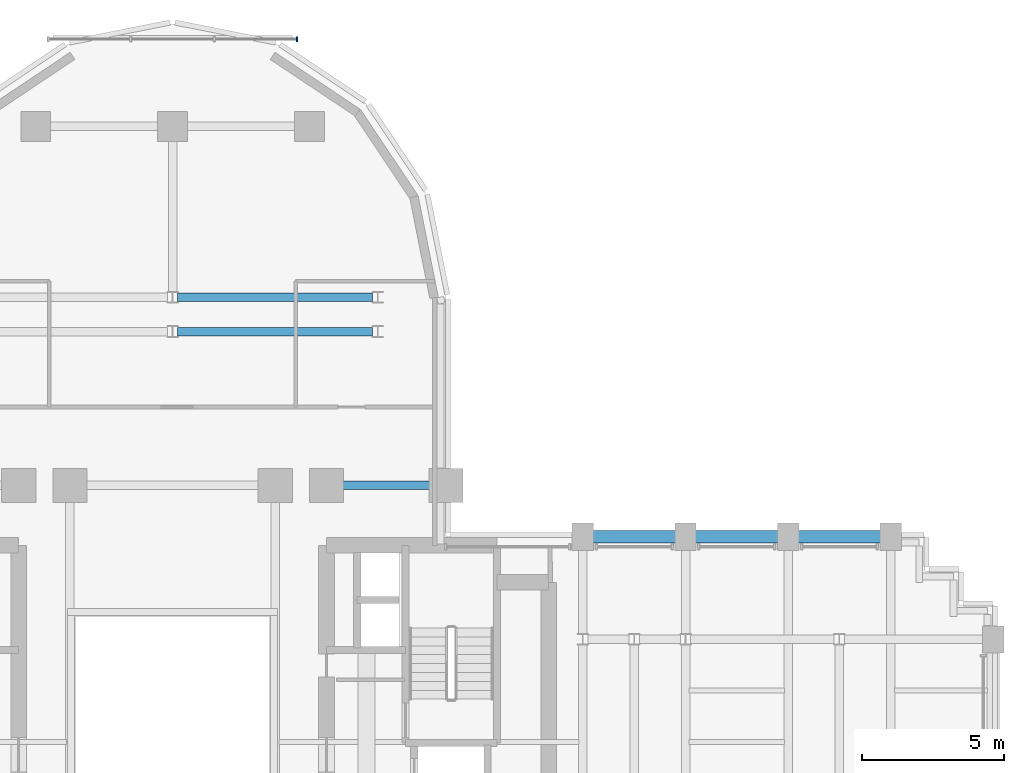
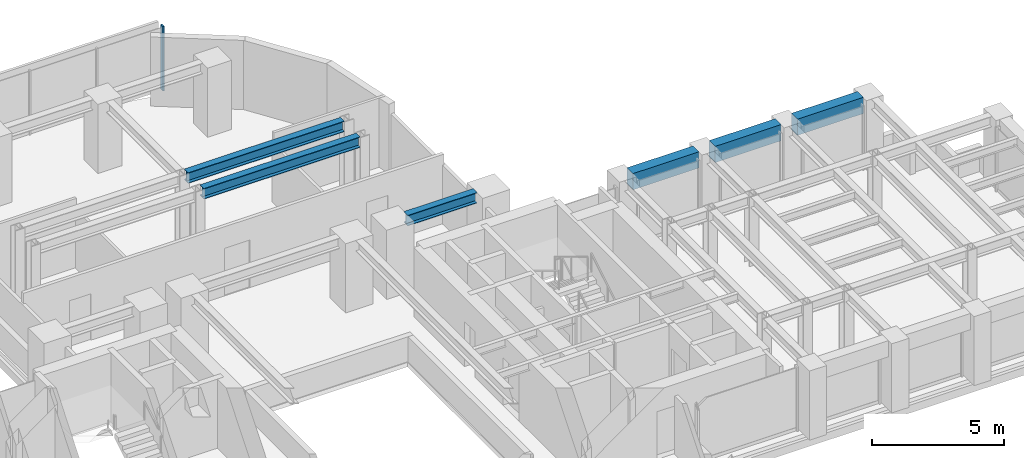
# One storey, part 8 of 16: 6 beams, 1 member, 1 element without a shape of its own.
"""IFC4 building model written with IfcOpenShell, lengths in metres."""

import ifcopenshell
import ifcopenshell.guid

model = None  # the IFC model being written
_history = None  # IfcOwnerHistory: only IFC2X3 demands one
_inside = {}  # id of a spatial element -> (the spatial element, [elements in it])
_under = {}  # id of a project, library or spatial element -> (it, [spatial elements below it])
_declared = {}  # id of a project -> (the project, [libraries it declares])
_typed = {}  # id of a type object -> (the type object, [elements of that type])
_made_of = {}  # id of a material, layer set ... -> (it, [elements and type objects made of it])


def new_model(schema):
    """Start an empty IFC model of exactly this schema.

    Asked for "IFC4X3", IfcOpenShell would pick the latest addendum, in which some entities
    have other attributes; the version numbers below select the first issue.
    IFC2X3 requires an IfcOwnerHistory on every rooted entity: one is made here for all.
    """
    global model, _history
    if schema == "IFC4X3":
        model = ifcopenshell.file(schema_version=(4, 3, 0, 0))
    else:
        model = ifcopenshell.file(schema=schema)
    _inside.clear()
    _under.clear()
    _declared.clear()
    _typed.clear()
    _made_of.clear()
    _history = None
    if model.schema == "IFC2X3":
        org = make("IfcOrganization", Name="unknown")
        user = make(
            "IfcPersonAndOrganization",
            ThePerson=make("IfcPerson", FamilyName="unknown"),
            TheOrganization=org,
        )
        app = make(
            "IfcApplication",
            ApplicationDeveloper=org,
            Version="unknown",
            ApplicationFullName="unknown",
            ApplicationIdentifier="unknown",
        )
        _history = make(
            "IfcOwnerHistory",
            OwningUser=user,
            OwningApplication=app,
            ChangeAction="ADDED",
            CreationDate=0,
        )
    return model


def make(cls, **values):
    """One entity of the class cls with the attributes given. An attribute that is None is left unset."""
    return model.create_entity(
        cls, **{name: value for name, value in values.items() if value is not None}
    )


def rooted(cls, **values):
    """An entity with a GlobalId (a new one), such as an element, a storey or a relation."""
    return make(cls, GlobalId=ifcopenshell.guid.new(), OwnerHistory=_history, **values)


def si_unit(unit_type, name, prefix=None):
    """IfcSIUnit, for example si_unit("LENGTHUNIT", "METRE", prefix="MILLI")."""
    return make("IfcSIUnit", UnitType=unit_type, Prefix=prefix, Name=name)


def assignment(units):
    """IfcUnitAssignment: the units of a project."""
    return None if units is None else make("IfcUnitAssignment", Units=units)


def point(xyz):
    """IfcCartesianPoint."""
    return None if xyz is None else make("IfcCartesianPoint", Coordinates=xyz)


def direction(xyz):
    """IfcDirection."""
    return None if xyz is None else make("IfcDirection", DirectionRatios=xyz)


def frame(location, z_axis=None, x_axis=None):
    """IfcAxis2Placement3D, a coordinate frame: its origin and axes. An axis left out is left unset."""
    return make(
        "IfcAxis2Placement3D",
        Location=point(location),
        Axis=direction(z_axis),
        RefDirection=direction(x_axis),
    )


def frame_2d(location, x_axis=None):
    """IfcAxis2Placement2D, a coordinate frame in the plane: its origin and x axis."""
    return make(
        "IfcAxis2Placement2D", Location=point(location), RefDirection=direction(x_axis)
    )


def origin():
    """The frame at (0, 0, 0) with its axes left unset."""
    return frame((0.0, 0.0, 0.0))


def origin_2d():
    """The frame at (0, 0) in the plane with its x axis left unset."""
    return frame_2d((0.0, 0.0))


def place(relative_to, where):
    """IfcLocalPlacement: puts the frame where relative to a parent placement (None: the world)."""
    return make(
        "IfcLocalPlacement", PlacementRelTo=relative_to, RelativePlacement=where
    )


def context(
    kind, dimensions, precision=None, world=None, true_north=None, identifier=None
):
    """IfcGeometricRepresentationContext, for example the 3D "Model" context."""
    return make(
        "IfcGeometricRepresentationContext",
        ContextIdentifier=identifier,
        ContextType=kind,
        CoordinateSpaceDimension=dimensions,
        Precision=precision,
        WorldCoordinateSystem=world,
        TrueNorth=true_north,
    )


def subcontext(parent, identifier, kind, view, scale=None):
    """IfcGeometricRepresentationSubContext, for example "Body" below "Model"."""
    return make(
        "IfcGeometricRepresentationSubContext",
        ContextIdentifier=identifier,
        ContextType=kind,
        ParentContext=parent,
        TargetScale=scale,
        TargetView=view,
    )


def project(units=None, contexts=None):
    """IfcProject with its units and contexts."""
    return rooted(
        "IfcProject",
        Name="project",
        RepresentationContexts=contexts,
        UnitsInContext=assignment(units),
    )


def spatial(cls, under=None, at=None, **own):
    """A site, building, storey or space (cls), placed at a placement, below another one or the project."""
    s = rooted(cls, ObjectPlacement=at, **own)
    if under is not None:
        _under.setdefault(under.id(), (under, []))[1].append(s)
    return s


def profile(cls, at=None, kind="AREA", **sizes):
    """A parametric profile (cls). Its sizes go by their IFC names, for example OverallWidth=200.0."""
    return make(cls, ProfileType=kind, Position=at, **sizes)


def rectangle(**sizes):
    """IfcRectangleProfileDef."""
    return profile("IfcRectangleProfileDef", **sizes)


def i_section(**sizes):
    """IfcIShapeProfileDef."""
    return profile("IfcIShapeProfileDef", **sizes)


def extrude(swept, where, along, depth):
    """IfcExtrudedAreaSolid: the profile swept, set in the frame where, extruded along a direction by depth."""
    return make(
        "IfcExtrudedAreaSolid",
        SweptArea=swept,
        Position=where,
        ExtrudedDirection=direction(along),
        Depth=depth,
    )


def shape(context_of_items, identifier, shape_type, items):
    """IfcShapeRepresentation: the items that make up one representation, for example the "Body"."""
    return make(
        "IfcShapeRepresentation",
        ContextOfItems=context_of_items,
        RepresentationIdentifier=identifier,
        RepresentationType=shape_type,
        Items=items,
    )


def source(mapping_origin, context_of_items, identifier, shape_type, items):
    """IfcRepresentationMap: a shape defined once, which mapped items show again and again."""
    return make(
        "IfcRepresentationMap",
        MappingOrigin=mapping_origin,
        MappedRepresentation=shape(context_of_items, identifier, shape_type, items),
    )


def transform(
    local_origin,
    x_axis=None,
    y_axis=None,
    z_axis=None,
    scale=None,
    scale2=None,
    scale3=None,
    uniform=True,
):
    """IfcCartesianTransformationOperator3D, or its non-uniform kind. x_axis, y_axis, z_axis: its Axis1, 2, 3."""
    if uniform:
        return make(
            "IfcCartesianTransformationOperator3D",
            Axis1=direction(x_axis),
            Axis2=direction(y_axis),
            LocalOrigin=point(local_origin),
            Scale=scale,
            Axis3=direction(z_axis),
        )
    return make(
        "IfcCartesianTransformationOperator3DnonUniform",
        Axis1=direction(x_axis),
        Axis2=direction(y_axis),
        LocalOrigin=point(local_origin),
        Scale=scale,
        Axis3=direction(z_axis),
        Scale2=scale2,
        Scale3=scale3,
    )


def mapped(mapping_source, mapping_target):
    """IfcMappedItem: shows the shape of a source again, moved by a transform."""
    return make(
        "IfcMappedItem", MappingSource=mapping_source, MappingTarget=mapping_target
    )


def material(Name=None, Category=None):
    """IfcMaterial."""
    return make("IfcMaterial", Name=Name, Category=Category)


def material_profile(
    of_material, cross_section, Name=None, Category=None, Priority=None
):
    """IfcMaterialProfile: a cross section and its material."""
    return make(
        "IfcMaterialProfile",
        Name=Name,
        Material=of_material,
        Profile=cross_section,
        Priority=Priority,
        Category=Category,
    )


def profile_set(profiles, Name=None, composite=None):
    """IfcMaterialProfileSet."""
    return make(
        "IfcMaterialProfileSet",
        Name=Name,
        MaterialProfiles=profiles,
        CompositeProfile=composite,
    )


def made_of(thing, what):
    """Note that an element or type object is made of a material, layer set ...; save() writes the relation."""
    if what is not None:
        _made_of.setdefault(what.id(), (what, []))[1].append(thing)
    return thing


def type_object(cls, material=None, **own):
    """A type object (cls), such as IfcWallType, which elements share."""
    return made_of(rooted(cls, **own), material)


def element(
    cls,
    number,
    at=None,
    inside=None,
    cuts=None,
    type_object=None,
    material=None,
    context=None,
    identifier="Body",
    shape_type=None,
    held_by="IfcProductDefinitionShape",
    body=None,
    shapes=None,
    **own,
):
    """One element of the class cls, such as IfcWall. Its Tag is "e" and its number.

    at: its placement. inside: the storey or other place that contains it. cuts: it is an
    opening in that element (IfcRelVoidsElement). A single representation is given by context,
    identifier, shape_type and body (its items); several are given by shapes. held_by: the class
    of the entity that holds the representations. save() writes the other relations.
    """
    e = rooted(cls, Tag="e%d" % number, ObjectPlacement=at, **own)
    if body is not None:
        shapes = [shape(context, identifier, shape_type, body)]
    if shapes is not None:
        e.Representation = make(held_by, Representations=shapes)
    if inside is not None:
        _inside.setdefault(inside.id(), (inside, []))[1].append(e)
    if cuts is not None:
        rooted(
            "IfcRelVoidsElement", RelatingBuildingElement=cuts, RelatedOpeningElement=e
        )
    if type_object is not None:
        _typed.setdefault(type_object.id(), (type_object, []))[1].append(e)
    return made_of(e, material)


def aggregate(whole, parts):
    """IfcRelAggregates: a whole, such as a stair, and the parts it consists of."""
    return rooted("IfcRelAggregates", RelatingObject=whole, RelatedObjects=parts)


def save(model, path):
    """Write the relations noted so far, then the file.

    IfcRelAggregates (storeys below a building ...), IfcRelContainedInSpatialStructure (elements
    in a storey), IfcRelDefinesByType, IfcRelAssociatesMaterial and IfcRelDeclares: one each for
    every whole, place, type object, material and project.
    """
    for whole, parts in _under.values():
        aggregate(whole, parts)
    for where, things in _inside.values():
        rooted(
            "IfcRelContainedInSpatialStructure",
            RelatedElements=things,
            RelatingStructure=where,
        )
    for kind, things in _typed.values():
        rooted("IfcRelDefinesByType", RelatedObjects=things, RelatingType=kind)
    for what, things in _made_of.values():
        rooted("IfcRelAssociatesMaterial", RelatedObjects=things, RelatingMaterial=what)
    for by, libraries in _declared.values():
        rooted("IfcRelDeclares", RelatingContext=by, RelatedDefinitions=libraries)
    model.write(path)


model = new_model("IFC4")

# Units and contexts
model_context = context("Model", 3, precision=1e-05, world=origin(), true_north=direction((0.0, 1.0)))
body_context = subcontext(model_context, "Body", "Model", "MODEL_VIEW")
ifc_project = project(units=[si_unit("LENGTHUNIT", "METRE"), si_unit("AREAUNIT", "SQUARE_METRE"), si_unit("VOLUMEUNIT", "CUBIC_METRE"), si_unit("PLANEANGLEUNIT", "RADIAN"), si_unit("MASSUNIT", "GRAM", prefix="KILO")], contexts=[model_context])

# Site, building, storey
site_placement = place(None, origin())
site = spatial("IfcSite", under=ifc_project, at=site_placement, CompositionType="ELEMENT")
building_placement = place(site_placement, origin())
building = spatial("IfcBuilding", under=site, at=building_placement, Name="Keilestroom Media Tower", CompositionType="ELEMENT")
storey_placement = place(building_placement, frame((0.0, 0.0, 61.199951171875)))
storey = spatial("IfcBuildingStorey", under=building, at=storey_placement, Name="L15", CompositionType="ELEMENT", Elevation=61.199951171875)

# Beams
ifc_material_1 = material(Name="Precast concrete C40/50", Category="concrete")
ifc_material_profile_1 = material_profile(ifc_material_1, rectangle(XDim=0.449951171875, YDim=0.75, at=origin_2d()), Name="PC 450x750")
ifc_profile_set_1 = profile_set([ifc_material_profile_1], Name="Precast concrete C40/50")
beam_type_1 = type_object("IfcBeamType", Name="Perimeter-Spandrel-Beam-PC-450x750", PredefinedType="SPANDREL", material=ifc_profile_set_1)
shared_shape_1 = source(origin(), body_context, "Body", "SweptSolid", [
    extrude(rectangle(XDim=0.449951171875, YDim=0.75, at=origin_2d()), origin(), (0.0, 0.0, 1.0), 2.889892578125),
])
beam_1_placement = place(storey_placement, frame((21.955078125, 7.199951171875, 2.824951171875), z_axis=(1.0, 0.0, 0.0), x_axis=(0.0, 1.0, 0.0)))
element("IfcBeam", 1, at=beam_1_placement, inside=storey, type_object=beam_type_1, Name="L15 Beam SPB-1 BM-L15-EW-039", PredefinedType="SPANDREL", context=body_context, shape_type="MappedRepresentation", body=[
    mapped(shared_shape_1, transform((0.0, 0.0, 0.0), x_axis=(1.0, 0.0, 0.0), y_axis=(0.0, 1.0, 0.0), z_axis=(0.0, 0.0, 1.0), scale=1.0)),
])
shared_shape_2 = source(origin(), body_context, "Body", "SweptSolid", [
    extrude(rectangle(XDim=0.449951171875, YDim=0.75, at=origin_2d()), origin(), (0.0, 0.0, 1.0), 2.89013671875),
])
for number, where, z_axis, x_axis, name in (
    (2, (14.7548828125, 7.199951171875, 2.824951171875), (1.0, 0.0, 0.0), (0.0, 1.0, 0.0), "L15 Beam SPB-1 BM-L15-EW-037"),
    (3, (18.35498046875, 7.199951171875, 2.824951171875), (1.0, 0.0, 0.0), (0.0, 1.0, 0.0), "L15 Beam SPB-1 BM-L15-EW-038"),
):
    element("IfcBeam", number, at=place(storey_placement, frame(where, z_axis=z_axis, x_axis=x_axis)), inside=storey, type_object=beam_type_1, Name=name, PredefinedType="SPANDREL", context=body_context, shape_type="MappedRepresentation", body=[
        mapped(shared_shape_2, transform((0.0, 0.0, 0.0), x_axis=(1.0, 0.0, 0.0), y_axis=(0.0, 1.0, 0.0), z_axis=(0.0, 0.0, 1.0), scale=1.0)),
    ])
ifc_material_2 = material(Name="Steel S355", Category="steel")
ifc_material_profile_2 = material_profile(ifc_material_2, i_section(OverallWidth=0.300048828125, OverallDepth=0.489990234375, WebThickness=0.011962890625, FlangeThickness=0.02294921875, at=origin_2d()), Name="HEA 500")
ifc_profile_set_2 = profile_set([ifc_material_profile_2], Name="Steel S355")
beam_type_2 = type_object("IfcBeamType", Name="Primary-Structural-Girder-HEA-500", PredefinedType="BEAM", material=ifc_profile_set_2)
shared_shape_3 = source(origin(), body_context, "Body", "SweptSolid", [
    extrude(i_section(OverallWidth=0.300048828125, OverallDepth=0.489990234375, WebThickness=0.011962890625, FlangeThickness=0.02294921875, at=origin_2d()), origin(), (0.0, 0.0, 1.0), 6.836181640625),
])
for number, where, z_axis, x_axis, name in (
    (4, (0.181884765625, 14.39990234375, 2.955078125), (1.0, 0.0, 0.0), (0.0, 1.0, 0.0), "L15 Beam BG-10 BM-L15-EW-046"),
    (5, (0.181884765625, 15.60009765625, 2.955078125), (1.0, 0.0, 0.0), (0.0, 1.0, 0.0), "L15 Beam BG-10 BM-L15-EW-048"),
):
    element("IfcBeam", number, at=place(storey_placement, frame(where, z_axis=z_axis, x_axis=x_axis)), inside=storey, type_object=beam_type_2, Name=name, PredefinedType="BEAM", context=body_context, shape_type="MappedRepresentation", body=[
        mapped(shared_shape_3, transform((0.0, 0.0, 0.0), x_axis=(1.0, 0.0, 0.0), y_axis=(0.0, 1.0, 0.0), z_axis=(0.0, 0.0, 1.0), scale=1.0)),
    ])
shared_shape_4 = source(origin(), body_context, "Body", "SweptSolid", [
    extrude(i_section(OverallWidth=0.300048828125, OverallDepth=0.489990234375, WebThickness=0.011962890625, FlangeThickness=0.02294921875, at=origin_2d()), origin(), (0.0, 0.0, 1.0), 3.0400390625),
])
beam_2_placement = place(storey_placement, frame((5.97998046875, 9.0, 2.955078125), z_axis=(1.0, 0.0, 0.0), x_axis=(0.0, 1.0, 0.0)))
element("IfcBeam", 6, at=beam_2_placement, inside=storey, type_object=beam_type_2, Name="L15 Beam BG-10 BM-L15-EW-044", PredefinedType="BEAM", context=body_context, shape_type="MappedRepresentation", body=[
    mapped(shared_shape_4, transform((0.0, 0.0, 0.0), x_axis=(1.0, 0.0, 0.0), y_axis=(0.0, 1.0, 0.0), z_axis=(0.0, 0.0, 1.0), scale=1.0)),
])

# Curtain wall, member
ifc_material_3 = material(Name="Anodised Aluminium Alloy", Category="aluminium")
curtain_wall_type = type_object("IfcCurtainWallType", Name="Unitised-Curtain-Wall-CW-6", PredefinedType="NOTDEFINED", material=ifc_material_3)
curtain_wall_placement = place(storey_placement, origin())
curtain_wall = element("IfcCurtainWall", 7, at=curtain_wall_placement, inside=storey, type_object=curtain_wall_type, Name="L15 Curtain Wall CW-6 CW-L15-LN-1", PredefinedType="NOTDEFINED")
ifc_material_profile_3 = material_profile(ifc_material_3, rectangle(XDim=0.06494140625, YDim=0.179931640625, at=origin_2d()), Name="ALU MULLION 65x180")
ifc_profile_set_3 = profile_set([ifc_material_profile_3], Name="Anodised Aluminium Alloy")
member_type = type_object("IfcMemberType", Name="Curtain-Wall-Mullion-CW-6", PredefinedType="MULLION", material=ifc_profile_set_3)
shared_shape_5 = source(origin(), body_context, "Body", "SweptSolid", [
    extrude(rectangle(XDim=0.06494140625, YDim=0.179931640625, at=origin_2d()), origin(), (0.0, 0.0, 1.0), 2.97998046875),
])
member_placement = place(storey_placement, frame((4.367431640625, 24.64990234375, 0.0), z_axis=(0.0, 0.0, 1.0), x_axis=(1.0, 0.0, 0.0)))
member = element("IfcMember", 8, at=member_placement, type_object=member_type, Name="CW-6 Mullion 03", PredefinedType="MULLION", context=body_context, shape_type="MappedRepresentation", body=[
    mapped(shared_shape_5, transform((0.0, 0.0, 0.0), x_axis=(1.0, 0.0, 0.0), y_axis=(0.0, 1.0, 0.0), z_axis=(0.0, 0.0, 1.0), scale=1.0)),
])
aggregate(curtain_wall, [member])

save(model, "model.ifc")
